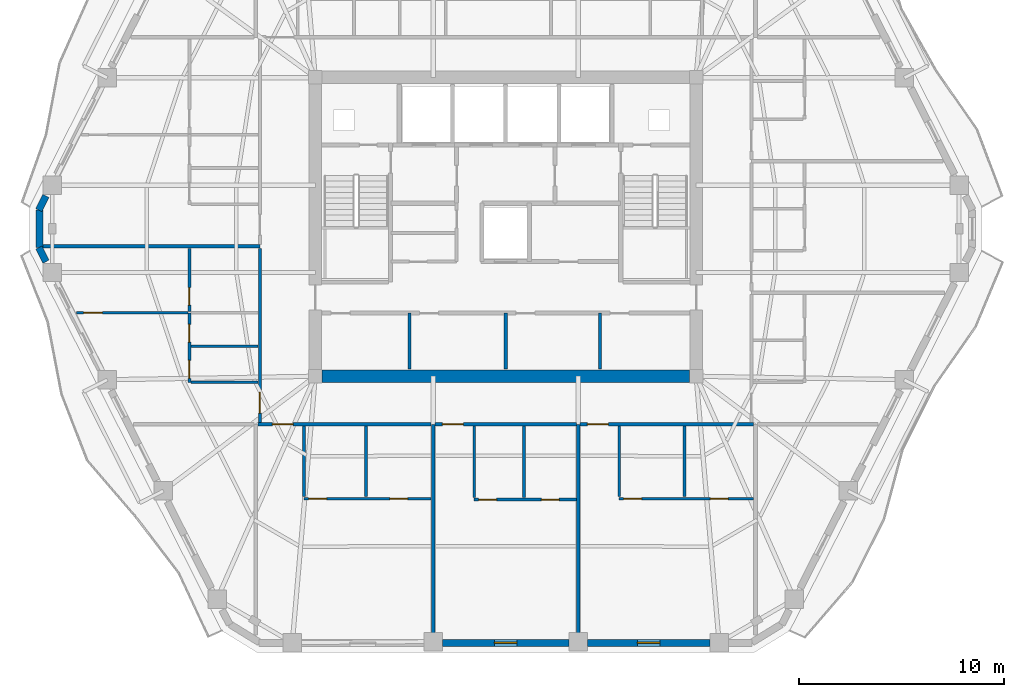
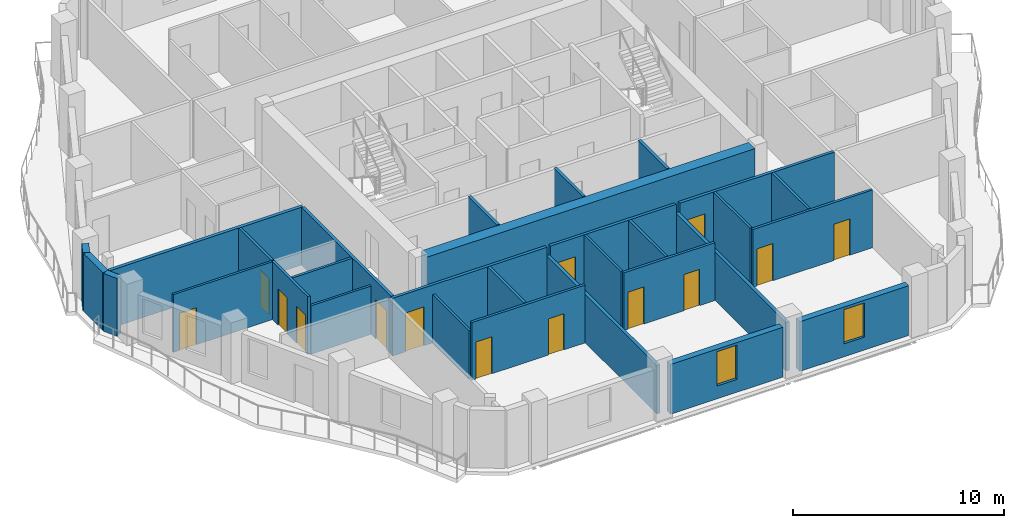
# One storey, part 4 of 12: 30 walls, 14 doors, 2 windows, 16 openings.
"""IFC4 building model written with IfcOpenShell, lengths in metres."""

from ifc_helpers import new_model, si_unit, direction, frame, frame_2d, origin, place, context, subcontext, project, spatial, rectangle, extrude, material, layer, layer_set, type_object, element, fill, save


model = new_model("IFC4")

# Units and contexts
model_context = context("Model", 3, precision=1e-05, world=origin(), true_north=direction((0.0, 1.0)))
body_context = subcontext(model_context, "Body", "Model", "MODEL_VIEW")
ifc_project = project(units=[si_unit("LENGTHUNIT", "METRE"), si_unit("AREAUNIT", "SQUARE_METRE"), si_unit("VOLUMEUNIT", "CUBIC_METRE"), si_unit("PLANEANGLEUNIT", "RADIAN"), si_unit("MASSUNIT", "GRAM", prefix="KILO")], contexts=[model_context])

# Site, building, storey
site_placement = place(None, origin())
site = spatial("IfcSite", under=ifc_project, at=site_placement, CompositionType="ELEMENT")
building_placement = place(site_placement, origin())
building = spatial("IfcBuilding", under=site, at=building_placement, Name="Cinnabar Lancet Tower", CompositionType="ELEMENT")
storey_placement = place(building_placement, frame((0.0, 0.0, 189.64990234375)))
storey = spatial("IfcBuildingStorey", under=building, at=storey_placement, Name="L50", CompositionType="ELEMENT", Elevation=189.64990234375)

# Walls
ifc_material_1 = material(Name="Acoustic twin-stud gypsum partition", Category="gypsum")
ifc_layer_1 = layer(ifc_material_1, 0.159912109375)
ifc_layer_set_1 = layer_set([ifc_layer_1], Name="Acoustic twin-stud gypsum partition")
wall_type_1 = type_object("IfcWallType", Name="ARC-WL-CORR-160", PredefinedType="PARTITIONING", material=ifc_layer_set_1)
for number, where, z_axis, x_axis, name in (
    (1, (27.699951171875, 18.949951171875, 0.0), (0.0, 0.0, 1.0), (0.0, 1.0, 0.0), "CW-SB-2770-L50"),
    (2, (32.39990234375, 18.949951171875, 0.0), (0.0, 0.0, 1.0), (0.0, 1.0, 0.0), "CW-SB-3240-L50"),
    (3, (37.0, 18.949951171875, 0.0), (0.0, 0.0, 1.0), (0.0, 1.0, 0.0), "CW-SB-3700-L50"),
):
    element("IfcWall", number, at=place(storey_placement, frame(where, z_axis=z_axis, x_axis=x_axis)), inside=storey, type_object=wall_type_1, Name=name, PredefinedType="PARTITIONING", context=body_context, shape_type="SweptSolid", body=[
        extrude(rectangle(XDim=2.72998046875, YDim=0.159912109375, at=frame_2d((1.364990234375, 0.0))), origin(), (0.0, 0.0, 1.0), 3.35009765625),
    ])

# Wall, opening, door
wall_1_placement = place(storey_placement, frame((20.294921875, 16.25, 0.0), z_axis=(0.0, 0.0, 1.0), x_axis=(1.0, 0.0, 0.0)))
wall_1 = element("IfcWall", 4, at=wall_1_placement, inside=storey, type_object=wall_type_1, Name="L50 Unit S01 Corridor Wall", PredefinedType="PARTITIONING", context=body_context, shape_type="SweptSolid", body=[
    extrude(rectangle(XDim=8.467041015625, YDim=0.159912109375, at=frame_2d((4.2333984375, 0.0))), origin(), (0.0, 0.0, 1.0), 3.35009765625),
])
opening_1_placement = place(wall_1_placement, frame((0.705078125, 0.0, 0.0)))
opening_1 = element("IfcOpeningElement", 5, at=opening_1_placement, cuts=wall_1, Name="Opening UD-01", PredefinedType="OPENING", context=body_context, shape_type="SweptSolid", body=[
    extrude(rectangle(XDim=1.02001953125, YDim=2.25, at=frame_2d((0.510009765625, 1.125))), frame((0.0, 0.08984375, 0.0), z_axis=(0.0, -1.0, 0.0), x_axis=(1.0, 0.0, 0.0)), (0.0, 0.0, 1.0), 0.179931640625),
])
ifc_material_2 = material(Name="Solid timber fire-rated apartment entrance door", Category="wood")
door_type_1 = type_object("IfcDoorType", Name="ARC-DR-UNIT", OperationType="NOTDEFINED", PredefinedType="DOOR", material=ifc_material_2)
door_1_placement = place(opening_1_placement, origin())
door_1 = element("IfcDoor", 6, at=door_1_placement, inside=storey, type_object=door_type_1, Name="DR-L50-S01-ENT", OperationType="SINGLE_SWING_LEFT", OverallHeight=2.25, OverallWidth=1.02001953125, PredefinedType="DOOR", context=body_context, shape_type="SweptSolid", body=[
    extrude(rectangle(XDim=1.02001953125, YDim=2.25, at=frame_2d((0.510009765625, 1.125))), frame((0.0, 0.02490234375, 0.0), z_axis=(0.0, -1.0, 0.0), x_axis=(1.0, 0.0, 0.0)), (0.0, 0.0, 1.0), 0.050048828125),
])
fill(opening_1, door_1)

wall_2_placement = place(storey_placement, frame((28.951904296875, 16.25, 0.0), z_axis=(0.0, 0.0, 1.0), x_axis=(1.0, 0.0, 0.0)))
wall_2 = element("IfcWall", 7, at=wall_2_placement, inside=storey, type_object=wall_type_1, Name="L50 Unit S02 Corridor Wall", PredefinedType="PARTITIONING", context=body_context, shape_type="SweptSolid", body=[
    extrude(rectangle(XDim=6.89599609375, YDim=0.159912109375, at=frame_2d((3.447998046875, 0.0))), origin(), (0.0, 0.0, 1.0), 3.35009765625),
])
opening_2_placement = place(wall_2_placement, frame((0.35498046875, 0.0, 0.0)))
opening_2 = element("IfcOpeningElement", 8, at=opening_2_placement, cuts=wall_2, Name="Opening UD-01", PredefinedType="OPENING", context=body_context, shape_type="SweptSolid", body=[
    extrude(rectangle(XDim=1.02001953125, YDim=2.25, at=frame_2d((0.510009765625, 1.125))), frame((0.0, 0.08984375, 0.0), z_axis=(0.0, -1.0, 0.0), x_axis=(1.0, 0.0, 0.0)), (0.0, 0.0, 1.0), 0.179931640625),
])
door_2_placement = place(opening_2_placement, origin())
door_2 = element("IfcDoor", 9, at=door_2_placement, inside=storey, type_object=door_type_1, Name="DR-L50-S02-ENT", OperationType="SINGLE_SWING_RIGHT", OverallHeight=2.25, OverallWidth=1.02001953125, PredefinedType="DOOR", context=body_context, shape_type="SweptSolid", body=[
    extrude(rectangle(XDim=1.02001953125, YDim=2.25, at=frame_2d((0.510009765625, 1.125))), frame((0.0, 0.02490234375, 0.0), z_axis=(0.0, -1.0, 0.0), x_axis=(1.0, 0.0, 0.0)), (0.0, 0.0, 1.0), 0.050048828125),
])
fill(opening_2, door_2)

wall_3_placement = place(storey_placement, frame((36.0380859375, 16.25, 0.0), z_axis=(0.0, 0.0, 1.0), x_axis=(1.0, 0.0, 0.0)))
wall_3 = element("IfcWall", 10, at=wall_3_placement, inside=storey, type_object=wall_type_1, Name="L50 Unit S03 Corridor Wall", PredefinedType="PARTITIONING", context=body_context, shape_type="SweptSolid", body=[
    extrude(rectangle(XDim=8.466796875, YDim=0.159912109375, at=frame_2d((4.2333984375, 0.0))), origin(), (0.0, 0.0, 1.0), 3.35009765625),
])
opening_3_placement = place(wall_3_placement, frame((0.35498046875, 0.0, 0.0)))
opening_3 = element("IfcOpeningElement", 11, at=opening_3_placement, cuts=wall_3, Name="Opening UD-01", PredefinedType="OPENING", context=body_context, shape_type="SweptSolid", body=[
    extrude(rectangle(XDim=1.02001953125, YDim=2.25, at=frame_2d((0.510009765625, 1.125))), frame((0.0, 0.08984375, 0.0), z_axis=(0.0, -1.0, 0.0), x_axis=(1.0, 0.0, 0.0)), (0.0, 0.0, 1.0), 0.179931640625),
])
door_3_placement = place(opening_3_placement, origin())
door_3 = element("IfcDoor", 12, at=door_3_placement, inside=storey, type_object=door_type_1, Name="DR-L50-S03-ENT", OperationType="SINGLE_SWING_LEFT", OverallHeight=2.25, OverallWidth=1.02001953125, PredefinedType="DOOR", context=body_context, shape_type="SweptSolid", body=[
    extrude(rectangle(XDim=1.02001953125, YDim=2.25, at=frame_2d((0.510009765625, 1.125))), frame((0.0, 0.02490234375, 0.0), z_axis=(0.0, -1.0, 0.0), x_axis=(1.0, 0.0, 0.0)), (0.0, 0.0, 1.0), 0.050048828125),
])
fill(opening_3, door_3)

wall_4_placement = place(storey_placement, frame((20.39990234375, 16.344970703125, 0.0), z_axis=(0.0, 0.0, 1.0), x_axis=(0.0, 1.0, 0.0)))
wall_4 = element("IfcWall", 13, at=wall_4_placement, inside=storey, type_object=wall_type_1, Name="UW-L50-W01-COR", PredefinedType="PARTITIONING", context=body_context, shape_type="SweptSolid", body=[
    extrude(rectangle(XDim=8.504150390625, YDim=0.159912109375, at=frame_2d((4.251953125, 0.0))), origin(), (0.0, 0.0, 1.0), 3.35009765625),
])
opening_4_placement = place(wall_4_placement, frame((0.449951171875, 0.0, 0.0)))
opening_4 = element("IfcOpeningElement", 14, at=opening_4_placement, cuts=wall_4, Name="Opening UD-01", PredefinedType="OPENING", context=body_context, shape_type="SweptSolid", body=[
    extrude(rectangle(XDim=1.02001953125, YDim=2.25, at=frame_2d((0.510009765625, 1.125))), frame((0.0, 0.08984375, 0.0), z_axis=(0.0, -1.0, 0.0), x_axis=(1.0, 0.0, 0.0)), (0.0, 0.0, 1.0), 0.179931640625),
])
door_4_placement = place(opening_4_placement, origin())
door_4 = element("IfcDoor", 15, at=door_4_placement, inside=storey, type_object=door_type_1, Name="DR-L50-W01-ENT", OperationType="SINGLE_SWING_LEFT", OverallHeight=2.25, OverallWidth=1.02001953125, PredefinedType="DOOR", context=body_context, shape_type="SweptSolid", body=[
    extrude(rectangle(XDim=1.02001953125, YDim=2.25, at=frame_2d((0.510009765625, 1.125))), frame((0.0, 0.02490234375, 0.0), z_axis=(0.0, -1.0, 0.0), x_axis=(1.0, 0.0, 0.0)), (0.0, 0.0, 1.0), 0.050048828125),
])
fill(opening_4, door_4)

# Walls
ifc_material_3 = material(Name="Fire-rated twin-frame acoustic drywall", Category="gypsum")
ifc_layer_2 = layer(ifc_material_3, 0.179931640625)
ifc_layer_set_2 = layer_set([ifc_layer_2], Name="Fire-rated twin-frame acoustic drywall")
wall_type_2 = type_object("IfcWallType", Name="ARC-WL-PARTY-180", PredefinedType="PARTITIONING", material=ifc_layer_set_2)
for number, where, z_axis, x_axis, name in (
    (16, (28.85693359375, 5.7548828125, 0.0), (0.0, 0.0, 1.0), (0.0, 1.0, 0.0), "PW-L50-SPTY-289"),
    (17, (35.943115234375, 5.7548828125, 0.0), (0.0, 0.0, 1.0), (0.0, 1.0, 0.0), "PW-L50-SPTY-359"),
):
    element("IfcWall", number, at=place(storey_placement, frame(where, z_axis=z_axis, x_axis=x_axis)), inside=storey, type_object=wall_type_2, Name=name, PredefinedType="PARTITIONING", context=body_context, shape_type="SweptSolid", body=[
        extrude(rectangle(XDim=10.4951171875, YDim=0.179931640625, at=frame_2d((5.24755859375, 0.0))), origin(), (0.0, 0.0, 1.0), 2.80712890625),
    ])
wall_5_placement = place(storey_placement, frame((9.81298828125, 24.944091796875, 0.0), z_axis=(0.0, 0.0, 1.0), x_axis=(1.0, 0.0, 0.0)))
element("IfcWall", 18, at=wall_5_placement, inside=storey, type_object=wall_type_2, Name="PW-L50-WPTY-1", PredefinedType="PARTITIONING", context=body_context, shape_type="SweptSolid", body=[
    extrude(rectangle(XDim=10.5869140625, YDim=0.179931640625, at=frame_2d((5.29345703125, 0.0))), origin(), (0.0, 0.0, 1.0), 3.35009765625),
])
ifc_material_4 = material(Name="Gypsum plasterboard stud partition", Category="gypsum")
ifc_layer_3 = layer(ifc_material_4, 0.125)
ifc_layer_set_3 = layer_set([ifc_layer_3], Name="Gypsum plasterboard stud partition")
wall_type_3 = type_object("IfcWallType", Name="ARC-WL-UNIT-125", PredefinedType="PARTITIONING", material=ifc_layer_set_3)
wall_6_placement = place(storey_placement, frame((22.550048828125, 12.72412109375, 0.0), z_axis=(0.0, 0.0, 1.0), x_axis=(0.0, 1.0, 0.0)))
element("IfcWall", 19, at=wall_6_placement, inside=storey, type_object=wall_type_3, Name="UW-L50-S01-FOYE", PredefinedType="PARTITIONING", context=body_context, shape_type="SweptSolid", body=[
    extrude(rectangle(XDim=3.44091796875, YDim=0.125, at=frame_2d((1.720458984375, 0.0))), origin(), (0.0, 0.0, 1.0), 2.80712890625),
])
wall_7_placement = place(storey_placement, frame((30.85693359375, 12.681884765625, 0.0), z_axis=(0.0, 0.0, 1.0), x_axis=(0.0, 1.0, 0.0)))
element("IfcWall", 20, at=wall_7_placement, inside=storey, type_object=wall_type_3, Name="UW-L50-S02-FOYE", PredefinedType="PARTITIONING", context=body_context, shape_type="SweptSolid", body=[
    extrude(rectangle(XDim=3.483154296875, YDim=0.125, at=frame_2d((1.74169921875, 0.0))), origin(), (0.0, 0.0, 1.0), 3.35009765625),
])
wall_8_placement = place(storey_placement, frame((37.943115234375, 12.72412109375, 0.0), z_axis=(0.0, 0.0, 1.0), x_axis=(0.0, 1.0, 0.0)))
element("IfcWall", 21, at=wall_8_placement, inside=storey, type_object=wall_type_3, Name="UW-L50-S03-FOYE", PredefinedType="PARTITIONING", context=body_context, shape_type="SweptSolid", body=[
    extrude(rectangle(XDim=3.44091796875, YDim=0.125, at=frame_2d((1.720458984375, 0.0))), origin(), (0.0, 0.0, 1.0), 3.35009765625),
])
wall_9_placement = place(storey_placement, frame((17.034912109375, 18.300048828125, 0.0), z_axis=(0.0, 0.0, 1.0), x_axis=(1.0, 0.0, 0.0)))
element("IfcWall", 22, at=wall_9_placement, inside=storey, type_object=wall_type_3, Name="UW-L50-W01-FOYN", PredefinedType="PARTITIONING", context=body_context, shape_type="SweptSolid", body=[
    extrude(rectangle(XDim=3.280029296875, YDim=0.125, at=frame_2d((1.64013671875, 0.0))), origin(), (0.0, 0.0, 1.0), 2.80712890625),
])

# Wall, opening, door
wall_10_placement = place(storey_placement, frame((11.43798828125, 21.699951171875, 0.0), z_axis=(0.0, 0.0, 1.0), x_axis=(1.0, 0.0, 0.0)))
wall_10 = element("IfcWall", 23, at=wall_10_placement, inside=storey, type_object=wall_type_3, Name="UW-L50-W01-MBN", PredefinedType="PARTITIONING", context=body_context, shape_type="SweptSolid", body=[
    extrude(rectangle(XDim=5.43701171875, YDim=0.125, at=frame_2d((2.718505859375, 0.0))), origin(), (0.0, 0.0, 1.0), 3.35009765625),
])
opening_5_placement = place(wall_10_placement, frame((0.35009765625, 0.0, 0.0)))
opening_5 = element("IfcOpeningElement", 24, at=opening_5_placement, cuts=wall_10, Name="Opening RD-01", PredefinedType="OPENING", context=body_context, shape_type="SweptSolid", body=[
    extrude(rectangle(XDim=0.919921875, YDim=2.14990234375, at=frame_2d((0.4599609375, 1.074951171875))), frame((0.0, 0.072509765625, 0.0), z_axis=(0.0, -1.0, 0.0), x_axis=(1.0, 0.0, 0.0)), (0.0, 0.0, 1.0), 0.14501953125),
])
ifc_material_5 = material(Name="Engineered timber bedroom door", Category="wood")
door_type_2 = type_object("IfcDoorType", Name="ARC-DR-ROOM", OperationType="NOTDEFINED", PredefinedType="DOOR", material=ifc_material_5)
door_5_placement = place(opening_5_placement, origin())
door_5 = element("IfcDoor", 25, at=door_5_placement, inside=storey, type_object=door_type_2, Name="DR-L50-W01-MBD", OperationType="SINGLE_SWING_LEFT", OverallHeight=2.14990234375, OverallWidth=0.919921875, PredefinedType="DOOR", context=body_context, shape_type="SweptSolid", body=[
    extrude(rectangle(XDim=0.919921875, YDim=2.14990234375, at=frame_2d((0.4599609375, 1.074951171875))), frame((0.0, 0.02490234375, 0.0), z_axis=(0.0, -1.0, 0.0), x_axis=(1.0, 0.0, 0.0)), (0.0, 0.0, 1.0), 0.050048828125),
])
fill(opening_5, door_5)

# Wall, openings, doors
ifc_material_6 = material(Name="Moisture-resistant cement-board plumbing wall", Category="masonry")
ifc_layer_4 = layer(ifc_material_6, 0.139892578125)
ifc_layer_set_4 = layer_set([ifc_layer_4], Name="Moisture-resistant cement-board plumbing wall")
wall_type_4 = type_object("IfcWallType", Name="ARC-WL-WET-140", PredefinedType="PLUMBINGWALL", material=ifc_layer_set_4)
wall_11_placement = place(storey_placement, frame((22.550048828125, 12.618896484375, 0.0), z_axis=(0.0, 0.0, 1.0), x_axis=(1.0, 0.0, 0.0)))
wall_11 = element("IfcWall", 26, at=wall_11_placement, inside=storey, type_object=wall_type_4, Name="UW-L50-S01-SPL", PredefinedType="PLUMBINGWALL", context=body_context, shape_type="SweptSolid", body=[
    extrude(rectangle(XDim=6.2119140625, YDim=0.139892578125, at=frame_2d((3.10595703125, 0.0))), origin(), (0.0, 0.0, 1.0), 3.35009765625),
])
opening_6_placement = place(wall_11_placement, frame((4.195068359375, 0.0, 0.0)))
opening_6 = element("IfcOpeningElement", 27, at=opening_6_placement, cuts=wall_11, Name="Opening BD-01", PredefinedType="OPENING", context=body_context, shape_type="SweptSolid", body=[
    extrude(rectangle(XDim=0.860107421875, YDim=2.10009765625, at=frame_2d((0.43017578125, 1.050048828125))), frame((0.0, 0.079833984375, 0.0), z_axis=(0.0, -1.0, 0.0), x_axis=(1.0, 0.0, 0.0)), (0.0, 0.0, 1.0), 0.159912109375),
])
opening_7_placement = place(wall_11_placement, frame((0.219970703125, 0.0, 0.0)))
opening_7 = element("IfcOpeningElement", 28, at=opening_7_placement, cuts=wall_11, Name="Opening RD-02", PredefinedType="OPENING", context=body_context, shape_type="SweptSolid", body=[
    extrude(rectangle(XDim=0.8798828125, YDim=2.14990234375, at=frame_2d((0.43994140625, 1.074951171875))), frame((0.0, 0.079833984375, 0.0), z_axis=(0.0, -1.0, 0.0), x_axis=(1.0, 0.0, 0.0)), (0.0, 0.0, 1.0), 0.159912109375),
])
ifc_material_7 = material(Name="Moisture-resistant timber bathroom door", Category="wood")
door_type_3 = type_object("IfcDoorType", Name="ARC-DR-BATH", OperationType="NOTDEFINED", PredefinedType="DOOR", material=ifc_material_7)
door_6_placement = place(opening_6_placement, origin())
door_6 = element("IfcDoor", 29, at=door_6_placement, inside=storey, type_object=door_type_3, Name="DR-L50-S01-BTH", OperationType="SINGLE_SWING_LEFT", OverallHeight=2.10009765625, OverallWidth=0.860107421875, PredefinedType="DOOR", context=body_context, shape_type="SweptSolid", body=[
    extrude(rectangle(XDim=0.860107421875, YDim=2.10009765625, at=frame_2d((0.43017578125, 1.050048828125))), frame((0.0, 0.02490234375, 0.0), z_axis=(0.0, -1.0, 0.0), x_axis=(1.0, 0.0, 0.0)), (0.0, 0.0, 1.0), 0.050048828125),
])
fill(opening_6, door_6)
ifc_material_8 = material(Name="Engineered timber study door", Category="wood")
door_type_4 = type_object("IfcDoorType", Name="ARC-DR-STUDY", OperationType="NOTDEFINED", PredefinedType="DOOR", material=ifc_material_8)
door_7_placement = place(opening_7_placement, origin())
door_7 = element("IfcDoor", 30, at=door_7_placement, inside=storey, type_object=door_type_4, Name="DR-L50-S01-KIT", OperationType="SINGLE_SWING_RIGHT", OverallHeight=2.14990234375, OverallWidth=0.8798828125, PredefinedType="DOOR", context=body_context, shape_type="SweptSolid", body=[
    extrude(rectangle(XDim=0.8798828125, YDim=2.14990234375, at=frame_2d((0.43994140625, 1.074951171875))), frame((0.0, 0.02490234375, 0.0), z_axis=(0.0, -1.0, 0.0), x_axis=(1.0, 0.0, 0.0)), (0.0, 0.0, 1.0), 0.050048828125),
])
fill(opening_7, door_7)

# Wall
wall_12_placement = place(storey_placement, frame((25.576904296875, 12.72412109375, 0.0), z_axis=(0.0, 0.0, 1.0), x_axis=(0.0, 1.0, 0.0)))
element("IfcWall", 31, at=wall_12_placement, inside=storey, type_object=wall_type_4, Name="UW-L50-S01-KDV", PredefinedType="PLUMBINGWALL", context=body_context, shape_type="SweptSolid", body=[
    extrude(rectangle(XDim=3.44091796875, YDim=0.139892578125, at=frame_2d((1.720458984375, 0.0))), origin(), (0.0, 0.0, 1.0), 3.35009765625),
])

# Wall, openings, doors
wall_13_placement = place(storey_placement, frame((30.85693359375, 12.576904296875, 0.0), z_axis=(0.0, 0.0, 1.0), x_axis=(1.0, 0.0, 0.0)))
wall_13 = element("IfcWall", 32, at=wall_13_placement, inside=storey, type_object=wall_type_4, Name="UW-L50-S02-SPL", PredefinedType="PLUMBINGWALL", context=body_context, shape_type="SweptSolid", body=[
    extrude(rectangle(XDim=4.990966796875, YDim=0.139892578125, at=frame_2d((2.49560546875, 0.0))), origin(), (0.0, 0.0, 1.0), 3.35009765625),
])
opening_8_placement = place(wall_13_placement, frame((3.291015625, 0.0, 0.0)))
opening_8 = element("IfcOpeningElement", 33, at=opening_8_placement, cuts=wall_13, Name="Opening BD-01", PredefinedType="OPENING", context=body_context, shape_type="SweptSolid", body=[
    extrude(rectangle(XDim=0.860107421875, YDim=2.10009765625, at=frame_2d((0.43017578125, 1.050048828125))), frame((0.0, 0.079833984375, 0.0), z_axis=(0.0, -1.0, 0.0), x_axis=(1.0, 0.0, 0.0)), (0.0, 0.0, 1.0), 0.159912109375),
])
opening_9_placement = place(wall_13_placement, frame((0.219970703125, 0.0, 0.0)))
opening_9 = element("IfcOpeningElement", 34, at=opening_9_placement, cuts=wall_13, Name="Opening RD-02", PredefinedType="OPENING", context=body_context, shape_type="SweptSolid", body=[
    extrude(rectangle(XDim=0.8798828125, YDim=2.14990234375, at=frame_2d((0.43994140625, 1.074951171875))), frame((0.0, 0.079833984375, 0.0), z_axis=(0.0, -1.0, 0.0), x_axis=(1.0, 0.0, 0.0)), (0.0, 0.0, 1.0), 0.159912109375),
])
door_8_placement = place(opening_8_placement, origin())
door_8 = element("IfcDoor", 35, at=door_8_placement, inside=storey, type_object=door_type_3, Name="DR-L50-S02-BTH", OperationType="SINGLE_SWING_RIGHT", OverallHeight=2.10009765625, OverallWidth=0.860107421875, PredefinedType="DOOR", context=body_context, shape_type="SweptSolid", body=[
    extrude(rectangle(XDim=0.860107421875, YDim=2.10009765625, at=frame_2d((0.43017578125, 1.050048828125))), frame((0.0, 0.02490234375, 0.0), z_axis=(0.0, -1.0, 0.0), x_axis=(1.0, 0.0, 0.0)), (0.0, 0.0, 1.0), 0.050048828125),
])
fill(opening_8, door_8)
door_9_placement = place(opening_9_placement, origin())
door_9 = element("IfcDoor", 36, at=door_9_placement, inside=storey, type_object=door_type_4, Name="DR-L50-S02-KIT", OperationType="SINGLE_SWING_LEFT", OverallHeight=2.14990234375, OverallWidth=0.8798828125, PredefinedType="DOOR", context=body_context, shape_type="SweptSolid", body=[
    extrude(rectangle(XDim=0.8798828125, YDim=2.14990234375, at=frame_2d((0.43994140625, 1.074951171875))), frame((0.0, 0.02490234375, 0.0), z_axis=(0.0, -1.0, 0.0), x_axis=(1.0, 0.0, 0.0)), (0.0, 0.0, 1.0), 0.050048828125),
])
fill(opening_9, door_9)

# Wall
wall_14_placement = place(storey_placement, frame((33.298095703125, 12.681884765625, 0.0), z_axis=(0.0, 0.0, 1.0), x_axis=(0.0, 1.0, 0.0)))
element("IfcWall", 37, at=wall_14_placement, inside=storey, type_object=wall_type_4, Name="UW-L50-S02-KDV", PredefinedType="PLUMBINGWALL", context=body_context, shape_type="SweptSolid", body=[
    extrude(rectangle(XDim=3.483154296875, YDim=0.139892578125, at=frame_2d((1.74169921875, 0.0))), origin(), (0.0, 0.0, 1.0), 3.35009765625),
])

# Wall, openings, doors
wall_15_placement = place(storey_placement, frame((37.943115234375, 12.618896484375, 0.0), z_axis=(0.0, 0.0, 1.0), x_axis=(1.0, 0.0, 0.0)))
wall_15 = element("IfcWall", 38, at=wall_15_placement, inside=storey, type_object=wall_type_4, Name="UW-L50-S03-SPL", PredefinedType="PLUMBINGWALL", context=body_context, shape_type="SweptSolid", body=[
    extrude(rectangle(XDim=6.561767578125, YDim=0.139892578125, at=frame_2d((3.28076171875, 0.0))), origin(), (0.0, 0.0, 1.0), 3.35009765625),
])
opening_10_placement = place(wall_15_placement, frame((4.4541015625, 0.0, 0.0)))
opening_10 = element("IfcOpeningElement", 39, at=opening_10_placement, cuts=wall_15, Name="Opening BD-01", PredefinedType="OPENING", context=body_context, shape_type="SweptSolid", body=[
    extrude(rectangle(XDim=0.860107421875, YDim=2.10009765625, at=frame_2d((0.43017578125, 1.050048828125))), frame((0.0, 0.079833984375, 0.0), z_axis=(0.0, -1.0, 0.0), x_axis=(1.0, 0.0, 0.0)), (0.0, 0.0, 1.0), 0.159912109375),
])
opening_11_placement = place(wall_15_placement, frame((0.219970703125, 0.0, 0.0)))
opening_11 = element("IfcOpeningElement", 40, at=opening_11_placement, cuts=wall_15, Name="Opening RD-02", PredefinedType="OPENING", context=body_context, shape_type="SweptSolid", body=[
    extrude(rectangle(XDim=0.8798828125, YDim=2.14990234375, at=frame_2d((0.43994140625, 1.074951171875))), frame((0.0, 0.079833984375, 0.0), z_axis=(0.0, -1.0, 0.0), x_axis=(1.0, 0.0, 0.0)), (0.0, 0.0, 1.0), 0.159912109375),
])
door_10_placement = place(opening_10_placement, origin())
door_10 = element("IfcDoor", 41, at=door_10_placement, inside=storey, type_object=door_type_3, Name="DR-L50-S03-BTH", OperationType="SINGLE_SWING_LEFT", OverallHeight=2.10009765625, OverallWidth=0.860107421875, PredefinedType="DOOR", context=body_context, shape_type="SweptSolid", body=[
    extrude(rectangle(XDim=0.860107421875, YDim=2.10009765625, at=frame_2d((0.43017578125, 1.050048828125))), frame((0.0, 0.02490234375, 0.0), z_axis=(0.0, -1.0, 0.0), x_axis=(1.0, 0.0, 0.0)), (0.0, 0.0, 1.0), 0.050048828125),
])
fill(opening_10, door_10)
door_11_placement = place(opening_11_placement, origin())
door_11 = element("IfcDoor", 42, at=door_11_placement, inside=storey, type_object=door_type_4, Name="DR-L50-S03-KIT", OperationType="SINGLE_SWING_RIGHT", OverallHeight=2.14990234375, OverallWidth=0.8798828125, PredefinedType="DOOR", context=body_context, shape_type="SweptSolid", body=[
    extrude(rectangle(XDim=0.8798828125, YDim=2.14990234375, at=frame_2d((0.43994140625, 1.074951171875))), frame((0.0, 0.02490234375, 0.0), z_axis=(0.0, -1.0, 0.0), x_axis=(1.0, 0.0, 0.0)), (0.0, 0.0, 1.0), 0.050048828125),
])
fill(opening_11, door_11)

# Wall
wall_16_placement = place(storey_placement, frame((41.137939453125, 12.72412109375, 0.0), z_axis=(0.0, 0.0, 1.0), x_axis=(0.0, 1.0, 0.0)))
element("IfcWall", 43, at=wall_16_placement, inside=storey, type_object=wall_type_4, Name="UW-L50-S03-KDV", PredefinedType="PLUMBINGWALL", context=body_context, shape_type="SweptSolid", body=[
    extrude(rectangle(XDim=3.44091796875, YDim=0.139892578125, at=frame_2d((1.720458984375, 0.0))), origin(), (0.0, 0.0, 1.0), 3.35009765625),
])

# Wall, openings, doors
wall_17_placement = place(storey_placement, frame((16.949951171875, 18.300048828125, 0.0), z_axis=(0.0, 0.0, 1.0), x_axis=(0.0, 1.0, 0.0)))
wall_17 = element("IfcWall", 44, at=wall_17_placement, inside=storey, type_object=wall_type_4, Name="UW-L50-W01-SPL", PredefinedType="PLUMBINGWALL", context=body_context, shape_type="SweptSolid", body=[
    extrude(rectangle(XDim=3.39990234375, YDim=0.139892578125, at=frame_2d((1.699951171875, 0.0))), origin(), (0.0, 0.0, 1.0), 3.35009765625),
])
opening_12_placement = place(wall_17_placement, frame((0.199951171875, 0.0, 0.0)))
opening_12 = element("IfcOpeningElement", 45, at=opening_12_placement, cuts=wall_17, Name="Opening RD-02", PredefinedType="OPENING", context=body_context, shape_type="SweptSolid", body=[
    extrude(rectangle(XDim=0.8798828125, YDim=2.14990234375, at=frame_2d((0.43994140625, 1.074951171875))), frame((0.0, 0.079833984375, 0.0), z_axis=(0.0, -1.0, 0.0), x_axis=(1.0, 0.0, 0.0)), (0.0, 0.0, 1.0), 0.159912109375),
])
opening_13_placement = place(wall_17_placement, frame((1.968017578125, 0.0, 0.0)))
opening_13 = element("IfcOpeningElement", 46, at=opening_13_placement, cuts=wall_17, Name="Opening BD-01", PredefinedType="OPENING", context=body_context, shape_type="SweptSolid", body=[
    extrude(rectangle(XDim=0.860107421875, YDim=2.10009765625, at=frame_2d((0.43017578125, 1.050048828125))), frame((0.0, 0.079833984375, 0.0), z_axis=(0.0, -1.0, 0.0), x_axis=(1.0, 0.0, 0.0)), (0.0, 0.0, 1.0), 0.159912109375),
])
door_12_placement = place(opening_13_placement, origin())
door_12 = element("IfcDoor", 47, at=door_12_placement, inside=storey, type_object=door_type_3, Name="DR-L50-W01-BTH", OperationType="SINGLE_SWING_LEFT", OverallHeight=2.10009765625, OverallWidth=0.860107421875, PredefinedType="DOOR", context=body_context, shape_type="SweptSolid", body=[
    extrude(rectangle(XDim=0.860107421875, YDim=2.10009765625, at=frame_2d((0.43017578125, 1.050048828125))), frame((0.0, 0.02490234375, 0.0), z_axis=(0.0, -1.0, 0.0), x_axis=(1.0, 0.0, 0.0)), (0.0, 0.0, 1.0), 0.050048828125),
])
fill(opening_13, door_12)
door_13_placement = place(opening_12_placement, origin())
door_13 = element("IfcDoor", 48, at=door_13_placement, inside=storey, type_object=door_type_4, Name="DR-L50-W01-KIT", OperationType="SINGLE_SWING_RIGHT", OverallHeight=2.14990234375, OverallWidth=0.8798828125, PredefinedType="DOOR", context=body_context, shape_type="SweptSolid", body=[
    extrude(rectangle(XDim=0.8798828125, YDim=2.14990234375, at=frame_2d((0.43994140625, 1.074951171875))), frame((0.0, 0.02490234375, 0.0), z_axis=(0.0, -1.0, 0.0), x_axis=(1.0, 0.0, 0.0)), (0.0, 0.0, 1.0), 0.050048828125),
])
fill(opening_12, door_13)

# Wall, opening, door
wall_18_placement = place(storey_placement, frame((16.949951171875, 21.77001953125, 0.0), z_axis=(0.0, 0.0, 1.0), x_axis=(0.0, 1.0, 0.0)))
wall_18 = element("IfcWall", 49, at=wall_18_placement, inside=storey, type_object=wall_type_4, Name="UW-L50-W01-SPM", PredefinedType="PLUMBINGWALL", context=body_context, shape_type="SweptSolid", body=[
    extrude(rectangle(XDim=3.0791015625, YDim=0.139892578125, at=frame_2d((1.53955078125, 0.0))), origin(), (0.0, 0.0, 1.0), 3.35009765625),
])
opening_14_placement = place(wall_18_placement, frame((0.300048828125, 0.0, 0.0)))
opening_14 = element("IfcOpeningElement", 50, at=opening_14_placement, cuts=wall_18, Name="Opening BD-01", PredefinedType="OPENING", context=body_context, shape_type="SweptSolid", body=[
    extrude(rectangle(XDim=0.860107421875, YDim=2.10009765625, at=frame_2d((0.43017578125, 1.050048828125))), frame((0.0, 0.079833984375, 0.0), z_axis=(0.0, -1.0, 0.0), x_axis=(1.0, 0.0, 0.0)), (0.0, 0.0, 1.0), 0.159912109375),
])
door_14_placement = place(opening_14_placement, origin())
door_14 = element("IfcDoor", 51, at=door_14_placement, inside=storey, type_object=door_type_3, Name="DR-L50-W01-ENS", OperationType="SINGLE_SWING_LEFT", OverallHeight=2.10009765625, OverallWidth=0.860107421875, PredefinedType="DOOR", context=body_context, shape_type="SweptSolid", body=[
    extrude(rectangle(XDim=0.860107421875, YDim=2.10009765625, at=frame_2d((0.43017578125, 1.050048828125))), frame((0.0, 0.02490234375, 0.0), z_axis=(0.0, -1.0, 0.0), x_axis=(1.0, 0.0, 0.0)), (0.0, 0.0, 1.0), 0.050048828125),
])
fill(opening_14, door_14)

# Walls
wall_19_placement = place(storey_placement, frame((17.034912109375, 20.068115234375, 0.0), z_axis=(0.0, 0.0, 1.0), x_axis=(1.0, 0.0, 0.0)))
element("IfcWall", 52, at=wall_19_placement, inside=storey, type_object=wall_type_4, Name="UW-L50-W01-KDV", PredefinedType="PLUMBINGWALL", context=body_context, shape_type="SweptSolid", body=[
    extrude(rectangle(XDim=3.280029296875, YDim=0.139892578125, at=frame_2d((1.64013671875, 0.0))), origin(), (0.0, 0.0, 1.0), 3.35009765625),
])
ifc_material_9 = material(Name="Cinnabar red clay brick", Category="masonry")
ifc_layer_5 = layer(ifc_material_9, 0.340087890625)
ifc_layer_set_5 = layer_set([ifc_layer_5], Name="Cinnabar red clay brick")
wall_type_5 = type_object("IfcWallType", Name="ENV-WL-BRK-RED-340", PredefinedType="STANDARD", material=ifc_layer_set_5)
wall_20_placement = place(storey_placement, frame((9.6220703125, 26.7080078125, 0.0), z_axis=(0.0, 0.0, 1.0), x_axis=(0.0, -1.0, 0.0)))
element("IfcWall", 53, at=wall_20_placement, inside=storey, type_object=wall_type_5, Name="L50 Chamfered Corner Brick Pier 6.1", PredefinedType="STANDARD", context=body_context, shape_type="SweptSolid", body=[
    extrude(rectangle(XDim=1.81591796875, YDim=0.340087890625, at=frame_2d((0.907958984375, 0.0))), origin(), (0.0, 0.0, 1.0), 3.35009765625),
])

# Wall, opening, window
wall_21_placement = place(storey_placement, frame((29.31103515625, 5.580078125, 0.0), z_axis=(0.0, 0.0, 1.0), x_axis=(1.0, 0.0, 0.0)))
wall_21 = element("IfcWall", 54, at=wall_21_placement, inside=storey, type_object=wall_type_5, Name="L50 Face 1 Masonry Bay Wall 3", PredefinedType="STANDARD", context=body_context, shape_type="SweptSolid", body=[
    extrude(rectangle(XDim=6.177978515625, YDim=0.340087890625, at=frame_2d((3.0888671875, 0.0))), origin(), (0.0, 0.0, 1.0), 2.883056640625),
])
opening_15_placement = place(wall_21_placement, frame((2.5390625, 0.0, 0.75)))
opening_15 = element("IfcOpeningElement", 55, at=opening_15_placement, cuts=wall_21, Name="Opening WN-04", PredefinedType="OPENING", context=body_context, shape_type="SweptSolid", body=[
    extrude(rectangle(XDim=1.10009765625, YDim=1.98291015625, at=frame_2d((0.550048828125, 0.991455078125))), frame((0.0, 0.179931640625, 0.0), z_axis=(0.0, -1.0, 0.0), x_axis=(1.0, 0.0, 0.0)), (0.0, 0.0, 1.0), 0.360107421875),
])
ifc_material_10 = material(Name="Thermally broken bronze-anodized aluminium tall lancet window", Category="aluminium")
window_type = type_object("IfcWindowType", Name="ENV-WN-LANCET-1100", PartitioningType="SINGLE_PANEL", PredefinedType="WINDOW", material=ifc_material_10)
window_1_placement = place(opening_15_placement, origin())
window_1 = element("IfcWindow", 56, at=window_1_placement, inside=storey, type_object=window_type, Name="L50 Face 1 Gothic Lancet Window 3", OverallHeight=1.98291015625, OverallWidth=1.10009765625, PartitioningType="SINGLE_PANEL", PredefinedType="WINDOW", context=body_context, shape_type="SweptSolid", body=[
    extrude(rectangle(XDim=1.10009765625, YDim=1.98291015625, at=frame_2d((0.550048828125, 0.991455078125))), frame((0.0, 0.030029296875, 0.0), z_axis=(0.0, -1.0, 0.0), x_axis=(1.0, 0.0, 0.0)), (0.0, 0.0, 1.0), 0.06005859375),
])
fill(opening_15, window_1)

wall_22_placement = place(storey_placement, frame((36.39697265625, 5.580078125, 0.0), z_axis=(0.0, 0.0, 1.0), x_axis=(1.0, 0.0, 0.0)))
wall_22 = element("IfcWall", 57, at=wall_22_placement, inside=storey, type_object=wall_type_5, Name="L50 Face 1 Masonry Bay Wall 4", PredefinedType="STANDARD", context=body_context, shape_type="SweptSolid", body=[
    extrude(rectangle(XDim=5.969970703125, YDim=0.340087890625, at=frame_2d((2.98486328125, 0.0))), origin(), (0.0, 0.0, 1.0), 2.883056640625),
])
opening_16_placement = place(wall_22_placement, frame((2.43505859375, 0.0, 0.75)))
opening_16 = element("IfcOpeningElement", 58, at=opening_16_placement, cuts=wall_22, Name="Opening WN-04", PredefinedType="OPENING", context=body_context, shape_type="SweptSolid", body=[
    extrude(rectangle(XDim=1.10009765625, YDim=1.98291015625, at=frame_2d((0.550048828125, 0.991455078125))), frame((0.0, 0.179931640625, 0.0), z_axis=(0.0, -1.0, 0.0), x_axis=(1.0, 0.0, 0.0)), (0.0, 0.0, 1.0), 0.360107421875),
])
window_2_placement = place(opening_16_placement, origin())
window_2 = element("IfcWindow", 59, at=window_2_placement, inside=storey, type_object=window_type, Name="L50 Face 1 Gothic Lancet Window 4", OverallHeight=1.98291015625, OverallWidth=1.10009765625, PartitioningType="SINGLE_PANEL", PredefinedType="WINDOW", context=body_context, shape_type="SweptSolid", body=[
    extrude(rectangle(XDim=1.10009765625, YDim=1.98291015625, at=frame_2d((0.550048828125, 0.991455078125))), frame((0.0, 0.030029296875, 0.0), z_axis=(0.0, -1.0, 0.0), x_axis=(1.0, 0.0, 0.0)), (0.0, 0.0, 1.0), 0.06005859375),
])
fill(opening_16, window_2)

# Walls
for number, where, z_axis, x_axis, name in (
    (60, (9.948974609375, 27.403076171875, 0.0), (0.0, 0.0, 1.0), (-0.451262448184, -0.892391283496, 0.0), "L50 Face 5 Masonry Bay Wall 5"),
    (61, (9.60107421875, 24.885009765625, 0.0), (0.0, 0.0, 1.0), (0.451262448184, -0.892391283496, 0.0), "L50 Face 6 Masonry Bay Wall 1"),
):
    element("IfcWall", number, at=place(storey_placement, frame(where, z_axis=z_axis, x_axis=x_axis)), inside=storey, type_object=wall_type_5, Name=name, PredefinedType="STANDARD", context=body_context, shape_type="SweptSolid", body=[
        extrude(rectangle(XDim=0.77099609375, YDim=0.340087890625, at=frame_2d((0.385498046875, 0.0))), origin(), (0.0, 0.0, 1.0), 3.35009765625),
    ])
ifc_material_11 = material(Name="Concrete C60/75", Category="concrete")
ifc_layer_6 = layer(ifc_material_11, 0.60009765625)
ifc_layer_set_6 = layer_set([ifc_layer_6], Name="Concrete C60/75")
wall_type_6 = type_object("IfcWallType", Name="STR-WL-CORE-600", PredefinedType="SHEAR", material=ifc_layer_set_6)
wall_23_placement = place(storey_placement, frame((23.425048828125, 18.60009765625, 0.0), z_axis=(0.0, 0.0, 1.0), x_axis=(1.0, 0.0, 0.0)))
element("IfcWall", 62, at=wall_23_placement, inside=storey, type_object=wall_type_6, Name="L50 Core Shear Wall S", PredefinedType="SHEAR", context=body_context, shape_type="SweptSolid", body=[
    extrude(rectangle(XDim=17.949951171875, YDim=0.60009765625, at=frame_2d((8.97509765625, 0.0))), origin(), (0.0, 0.0, 1.0), 3.35009765625),
])

save(model, "model.ifc")
